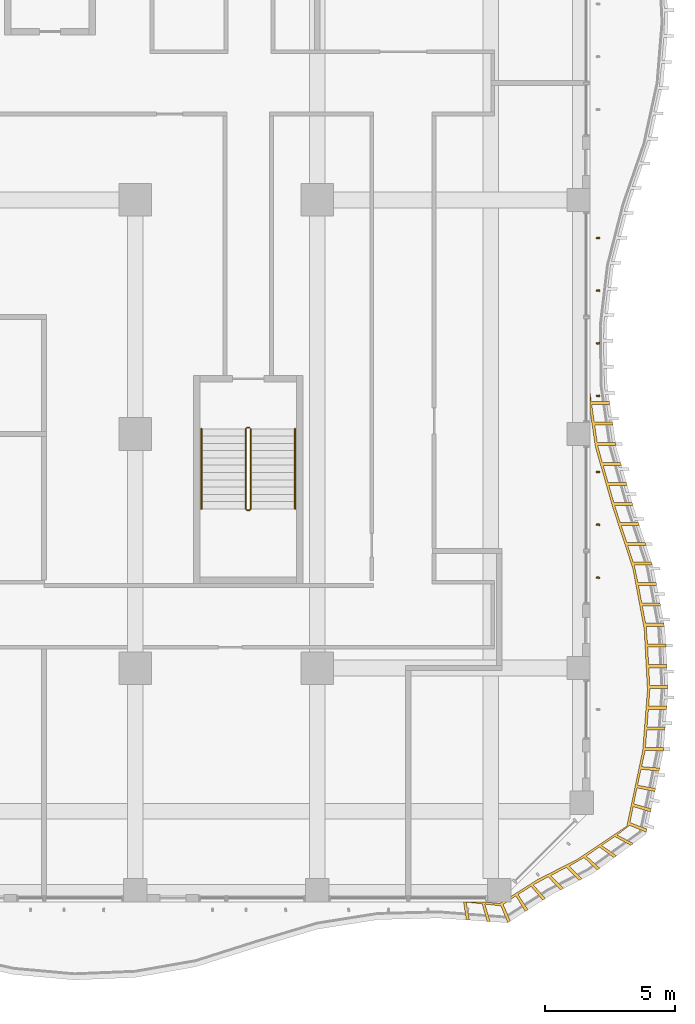
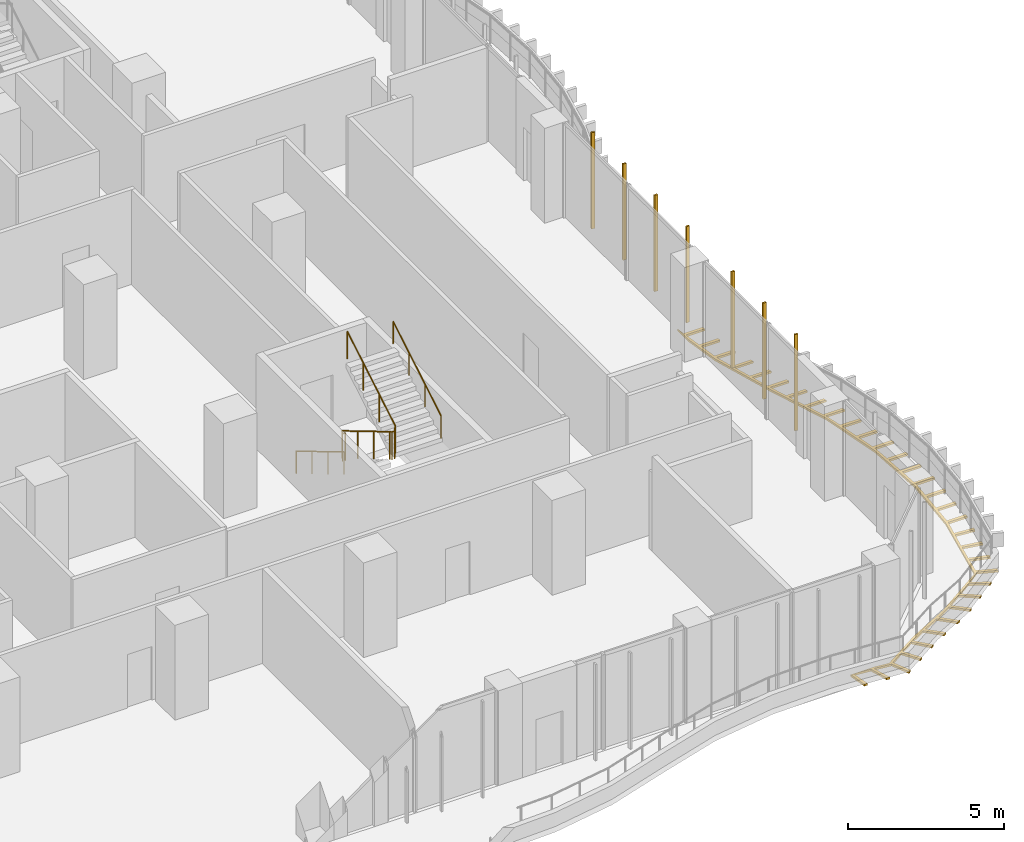
# One storey, part 24 of 28: 8 shading devices, 3 railings.
"""IFC4 building model written with IfcOpenShell, lengths in metres."""

from ifc_helpers import new_model, si_unit, direction, frame, origin, origin_2d, place, context, subcontext, project, spatial, polyline, rectangle, circle, outline, extrude, source, transform, mapped, material, layer, layer_set, material_profile, profile_set, type_object, element, save


model = new_model("IFC4")

# Units and contexts
model_context = context("Model", 3, precision=1e-05, world=origin(), true_north=direction((0.0, 1.0)))
body_context = subcontext(model_context, "Body", "Model", "MODEL_VIEW")
ifc_project = project(units=[si_unit("LENGTHUNIT", "METRE"), si_unit("AREAUNIT", "SQUARE_METRE"), si_unit("VOLUMEUNIT", "CUBIC_METRE"), si_unit("PLANEANGLEUNIT", "RADIAN"), si_unit("MASSUNIT", "GRAM", prefix="KILO")], contexts=[model_context])

# Site, building, storey
site_placement = place(None, origin())
site = spatial("IfcSite", under=ifc_project, at=site_placement, CompositionType="ELEMENT")
building_placement = place(site_placement, origin())
building = spatial("IfcBuilding", under=site, at=building_placement, Name="Kilnfold Tower and Market Hall", CompositionType="ELEMENT")
storey_placement = place(building_placement, frame((0.0, 0.0, 75.199951171875)))
storey = spatial("IfcBuildingStorey", under=building, at=storey_placement, Name="L17", CompositionType="ELEMENT", Elevation=75.199951171875)

# Railings
ifc_material_1 = material(Name="Stainless steel 316", Category="steel")
railing_type_1 = type_object("IfcRailingType", Name="CORE STAIR GUARD 1100", PredefinedType="GUARDRAIL", material=ifc_material_1)
railing_1_placement = place(storey_placement, frame((19.89990234375, -9.75, 0.0)))
element("IfcRailing", 1, at=railing_1_placement, inside=storey, type_object=railing_type_1, Name="L17 ST4 stair guard 1", PredefinedType="GUARDRAIL", context=body_context, shape_type="SweptSolid", body=[
    extrude(circle(Radius=0.02392578125, at=origin_2d()), frame((0.0, 0.0, 1.076171875), z_axis=(-1.0, 0.0, 0.0), x_axis=(0.0, -1.0, 0.0)), (0.0, 0.0, 1.0), 0.099853515625),
    extrude(circle(Radius=0.02392578125, at=origin_2d()), frame((-0.099853515625, 0.0, 1.076171875), z_axis=(-0.27628659633, -0.27628659633, 0.920506074601), x_axis=(0.707106781187, -0.707106781187, 0.0)), (0.0, 0.0, 1.0), 0.18115234375),
    extrude(circle(Radius=0.02392578125, at=origin_2d()), frame((-0.14990234375, -0.050048828125, 1.24267578125), z_axis=(0.0, -0.859290745958, 0.51148745235), x_axis=(1.0, 0.0, 0.0)), (0.0, 0.0, 1.0), 3.584228515625),
    extrude(circle(Radius=0.02392578125, at=origin_2d()), frame((-0.14990234375, -3.1298828125, 3.076171875), z_axis=(0.707106781187, -0.707106781187, 0.0), x_axis=(0.707106781187, 0.707106781187, 0.0)), (0.0, 0.0, 1.0), 0.07080078125),
    extrude(circle(Radius=0.02392578125, at=origin_2d()), frame((-0.099853515625, -3.179931640625, 3.076171875), z_axis=(1.0, 0.0, 0.0), x_axis=(0.0, 1.0, 0.0)), (0.0, 0.0, 1.0), 0.099853515625),
    extrude(circle(Radius=0.02392578125, at=origin_2d()), frame((0.0, -3.179931640625, 3.076171875), z_axis=(0.27628659633, 0.27628659633, 0.920506074601), x_axis=(-0.707106781187, 0.707106781187, 0.0)), (0.0, 0.0, 1.0), 0.18115234375),
    extrude(circle(Radius=0.02392578125, at=origin_2d()), frame((0.050048828125, -3.1298828125, 3.24267578125), z_axis=(0.0, 0.859290745958, 0.51148745235), x_axis=(-1.0, 0.0, 0.0)), (0.0, 0.0, 1.0), 3.584228515625),
    extrude(circle(Radius=0.02099609375, at=origin_2d()), origin(), (0.0, 0.0, 1.0), 1.052001953125),
    extrude(circle(Radius=0.02099609375, at=origin_2d()), frame((-0.099853515625, 0.0, 0.0)), (0.0, 0.0, 1.0), 1.052001953125),
    extrude(circle(Radius=0.02099609375, at=origin_2d()), frame((-0.14990234375, -0.050048828125, 0.166748046875)), (0.0, 0.0, 1.0), 1.052001953125),
    extrude(circle(Radius=0.02099609375, at=origin_2d()), frame((-0.14990234375, -1.07666015625, 0.77783203125)), (0.0, 0.0, 1.0), 1.052001953125),
    extrude(circle(Radius=0.02099609375, at=origin_2d()), frame((-0.14990234375, -2.103271484375, 1.388916015625)), (0.0, 0.0, 1.0), 1.052001953125),
    extrude(circle(Radius=0.02099609375, at=origin_2d()), frame((-0.14990234375, -3.1298828125, 2.0)), (0.0, 0.0, 1.0), 1.052001953125),
    extrude(circle(Radius=0.02099609375, at=origin_2d()), frame((-0.099853515625, -3.179931640625, 2.0)), (0.0, 0.0, 1.0), 1.052001953125),
    extrude(circle(Radius=0.02099609375, at=origin_2d()), frame((0.0, -3.179931640625, 2.0)), (0.0, 0.0, 1.0), 1.052001953125),
    extrude(circle(Radius=0.02099609375, at=origin_2d()), frame((0.050048828125, -3.1298828125, 2.166748046875)), (0.0, 0.0, 1.0), 1.052001953125),
    extrude(circle(Radius=0.02099609375, at=origin_2d()), frame((0.050048828125, -2.103271484375, 2.77783203125)), (0.0, 0.0, 1.0), 1.052001953125),
    extrude(circle(Radius=0.02099609375, at=origin_2d()), frame((0.050048828125, -1.07666015625, 3.388916015625)), (0.0, 0.0, 1.0), 1.052001953125),
    extrude(circle(Radius=0.02099609375, at=origin_2d()), frame((0.050048828125, -0.050048828125, 4.0)), (0.0, 0.0, 1.0), 1.052001953125),
])
ifc_material_2 = material(Name="Stainless steel 316", Category="steel")
railing_type_2 = type_object("IfcRailingType", Name="CORE STAIR HANDRAIL 900", PredefinedType="HANDRAIL", material=ifc_material_2)
railing_2_placement = place(storey_placement, frame((18.050048828125, -9.800048828125, 0.166748046875)))
element("IfcRailing", 2, at=railing_2_placement, inside=storey, type_object=railing_type_2, Name="L17 ST4 stair handrail 1", PredefinedType="HANDRAIL", context=body_context, shape_type="SweptSolid", body=[
    extrude(circle(Radius=0.02392578125, at=origin_2d()), frame((0.0, 0.0, 0.8759765625), z_axis=(0.0, -0.859290745958, 0.51148745235), x_axis=(1.0, 0.0, 0.0)), (0.0, 0.0, 1.0), 3.584228515625),
    extrude(circle(Radius=0.02099609375, at=origin_2d()), origin(), (0.0, 0.0, 1.0), 0.851806640625),
    extrude(circle(Radius=0.02099609375, at=origin_2d()), frame((0.0, -1.026611328125, 0.611083984375)), (0.0, 0.0, 1.0), 0.851806640625),
    extrude(circle(Radius=0.02099609375, at=origin_2d()), frame((0.0, -2.05322265625, 1.22216796875)), (0.0, 0.0, 1.0), 0.851806640625),
    extrude(circle(Radius=0.02099609375, at=origin_2d()), frame((0.0, -3.079833984375, 1.833251953125)), (0.0, 0.0, 1.0), 0.851806640625),
])
railing_3_placement = place(storey_placement, frame((21.64990234375, -12.8798828125, 2.166748046875)))
element("IfcRailing", 3, at=railing_3_placement, inside=storey, type_object=railing_type_2, Name="L17 ST4 stair handrail 2", PredefinedType="HANDRAIL", context=body_context, shape_type="SweptSolid", body=[
    extrude(circle(Radius=0.02392578125, at=origin_2d()), frame((0.0, 0.0, 0.8759765625), z_axis=(0.0, 0.859290745958, 0.51148745235), x_axis=(-1.0, 0.0, 0.0)), (0.0, 0.0, 1.0), 3.584228515625),
    extrude(circle(Radius=0.02099609375, at=origin_2d()), origin(), (0.0, 0.0, 1.0), 0.851806640625),
    extrude(circle(Radius=0.02099609375, at=origin_2d()), frame((0.0, 1.026611328125, 0.611083984375)), (0.0, 0.0, 1.0), 0.851806640625),
    extrude(circle(Radius=0.02099609375, at=origin_2d()), frame((0.0, 2.05322265625, 1.22216796875)), (0.0, 0.0, 1.0), 0.851806640625),
    extrude(circle(Radius=0.02099609375, at=origin_2d()), frame((0.0, 3.079833984375, 1.833251953125)), (0.0, 0.0, 1.0), 0.851806640625),
])

# Shading devices
ifc_material_3 = material(Name="Terracotta", Category="masonry")
ifc_material_profile = material_profile(ifc_material_3, rectangle(XDim=0.06005859375, YDim=0.1201171875, at=origin_2d()), Name="BAG 60x120")
ifc_profile_set = profile_set([ifc_material_profile], Name="Terracotta")
shading_device_type_1 = type_object("IfcShadingDeviceType", Name="BAGUETTE", PredefinedType="USERDEFINED", material=ifc_profile_set)
shared_shape_1 = source(origin(), body_context, "Body", "SweptSolid", [
    extrude(rectangle(XDim=0.06005859375, YDim=0.1201171875, at=origin_2d()), origin(), (0.0, 0.0, 1.0), 3.780029296875),
])
for number, where, z_axis, x_axis, name in (
    (4, (33.300048828125, -15.52490234375, 0.0), (0.0, 0.0, 1.0), (0.13645216604, 0.990646660714, 0.0), "Terracotta baguette L17 E"),
    (5, (33.300048828125, -13.487548828125, 0.0), (0.0, 0.0, 1.0), (0.061654769941, 0.998097534985, 0.0), "Terracotta baguette L17 E"),
    (6, (33.300048828125, -11.46240234375, 0.0), (0.0, 0.0, 1.0), (-0.060839489334, 0.998147562506, 0.0), "Terracotta baguette L17 E"),
    (7, (33.300048828125, -8.53759765625, 0.0), (0.0, 0.0, 1.0), (-0.136602587866, 0.990625929899, 0.0), "Terracotta baguette L17 E"),
    (8, (33.300048828125, -6.512451171875, 0.0), (0.0, 0.0, 1.0), (-0.063053542017, 0.998010145659, 0.0), "Terracotta baguette L17 E"),
    (9, (33.300048828125, -4.487548828125, 0.0), (0.0, 0.0, 1.0), (0.059428331135, 0.998232574833, 0.0), "Terracotta baguette L17 E"),
    (10, (33.300048828125, -2.46240234375, 0.0), (0.0, 0.0, 1.0), (0.135777822689, 0.990739311255, 0.0), "Terracotta baguette L17 E"),
):
    element("IfcShadingDevice", number, at=place(storey_placement, frame(where, z_axis=z_axis, x_axis=x_axis)), inside=storey, type_object=shading_device_type_1, Name=name, ObjectType="BAGUETTE", PredefinedType="USERDEFINED", context=body_context, shape_type="MappedRepresentation", body=[
        mapped(shared_shape_1, transform((0.0, 0.0, 0.0))),
    ])
ifc_material_4 = material(Name="Bronze anodised aluminium", Category="aluminium")
ifc_layer = layer(ifc_material_4, 0.080078125)
ifc_layer_set = layer_set([ifc_layer], Name="Bronze anodised aluminium")
shading_device_type_2 = type_object("IfcShadingDeviceType", Name="BRONZE SLAT SOFFIT 80", PredefinedType="USERDEFINED", material=ifc_layer_set)
shared_shape_2 = source(origin(), body_context, "Body", "SweptSolid", [
    extrude(outline(polyline([(29.523193359375, -28.05615234375), (30.96875, -27.135498046875), (32.514892578125, -26.348388671875), (34.404541015625, -25.081787109375), (35.017578125, -22.166748046875), (35.19873046875, -19.833251953125), (35.073486328125, -17.5), (34.63525390625, -15.166748046875), (33.86767578125, -12.833251953125), (33.19775390625, -10.5), (33.0, -9.1494140625), (33.0, -8.4267578125), (33.041259765625, -8.748779296875), (33.7412109375, -8.748779296875), (33.7587890625, -8.867431640625), (33.05859375, -8.867431640625), (33.1572265625, -9.540283203125), (33.857177734375, -9.540283203125), (33.860595703125, -9.564208984375), (33.87451171875, -9.658935546875), (33.174560546875, -9.658935546875), (33.273193359375, -10.331787109375), (33.97314453125, -10.331787109375), (33.990478515625, -10.450439453125), (33.29052734375, -10.450439453125), (33.4716796875, -11.10546875), (34.171630859375, -11.10546875), (34.20458984375, -11.220947265625), (33.504638671875, -11.220947265625), (33.6923828125, -11.87451171875), (34.392333984375, -11.87451171875), (34.425537109375, -11.98974609375), (33.7255859375, -11.98974609375), (33.9130859375, -12.643310546875), (34.613037109375, -12.643310546875), (34.646240234375, -12.7587890625), (33.9462890625, -12.7587890625), (34.156005859375, -13.405517578125), (34.85595703125, -13.405517578125), (34.893310546875, -13.51953125), (34.193359375, -13.51953125), (34.40576171875, -14.16552734375), (35.105712890625, -14.16552734375), (35.143310546875, -14.279541015625), (34.443359375, -14.279541015625), (34.65576171875, -14.925537109375), (35.355712890625, -14.925537109375), (35.393310546875, -15.039306640625), (34.693359375, -15.039306640625), (34.8359375, -15.703369140625), (35.535888671875, -15.703369140625), (35.55810546875, -15.8212890625), (34.858154296875, -15.8212890625), (34.983642578125, -16.489501953125), (35.68359375, -16.489501953125), (35.705810546875, -16.607421875), (35.005859375, -16.607421875), (35.13134765625, -17.27587890625), (35.831298828125, -17.27587890625), (35.853515625, -17.393798828125), (35.153564453125, -17.393798828125), (35.2041015625, -18.071044921875), (35.904052734375, -18.071044921875), (35.91064453125, -18.19091796875), (35.210693359375, -18.19091796875), (35.2470703125, -18.8701171875), (35.947021484375, -18.8701171875), (35.953369140625, -18.98974609375), (35.25341796875, -18.98974609375), (35.289794921875, -19.668701171875), (35.989990234375, -19.668701171875), (35.996337890625, -19.78857421875), (35.29638671875, -19.78857421875), (35.24951171875, -20.466796875), (35.949462890625, -20.466796875), (35.940185546875, -20.586181640625), (35.240234375, -20.586181640625), (35.1875, -21.264404296875), (35.8876953125, -21.264404296875), (35.87841796875, -21.3837890625), (35.178466796875, -21.3837890625), (35.125732421875, -22.06201171875), (35.82568359375, -22.06201171875), (35.817626953125, -22.166748046875), (35.814697265625, -22.18115234375), (35.114501953125, -22.179931640625), (34.977783203125, -22.78955078125), (35.67529296875, -22.8466796875), (35.650634765625, -22.96435546875), (34.9541015625, -22.89697265625), (34.822509765625, -23.505859375), (35.511474609375, -23.6298828125), (35.48681640625, -23.747314453125), (34.7998046875, -23.61328125), (34.673828125, -24.22314453125), (35.34765625, -24.412841796875), (35.322998046875, -24.530517578125), (34.652099609375, -24.330810546875), (34.53125, -24.943115234375), (35.183837890625, -25.196044921875), (35.1591796875, -25.3134765625), (34.51025390625, -25.05126953125), (34.038818359375, -25.42138671875), (34.658203125, -25.7470703125), (34.561767578125, -25.818359375), (33.9482421875, -25.481201171875), (33.4404296875, -25.822998046875), (34.01513671875, -26.222900390625), (33.918701171875, -26.294189453125), (33.3515625, -25.8837890625), (32.8505859375, -26.231201171875), (33.371826171875, -26.698486328125), (33.275390625, -26.77001953125), (32.7626953125, -26.293212890625), (32.195556640625, -26.61767578125), (32.690673828125, -27.112548828125), (32.58349609375, -27.1669921875), (32.088623046875, -26.672119140625), (31.482666015625, -26.98046875), (31.9775390625, -27.4755859375), (31.87060546875, -27.530029296875), (31.375732421875, -27.034912109375), (30.814208984375, -27.341796875), (31.27978515625, -27.864501953125), (31.1787109375, -27.929443359375), (30.725341796875, -27.39599609375), (30.227783203125, -27.7080078125), (30.6064453125, -28.296630859375), (30.50537109375, -28.361572265625), (30.140869140625, -27.763916015625), (29.650146484375, -28.08837890625), (29.93310546875, -28.728759765625), (29.83203125, -28.793701171875), (29.563720703125, -28.14697265625), (28.951416015625, -28.079345703125), (29.154296875, -28.749267578125), (29.034423828125, -28.7412109375), (28.843505859375, -28.067626953125), (28.234130859375, -28.005615234375), (28.35595703125, -28.695068359375), (28.236328125, -28.686767578125), (28.12744140625, -28.0), (28.9765625, -28.0), (29.523193359375, -28.05615234375)])), origin(), (0.0, 0.0, 1.0), 0.080078125),
])
shading_device_placement = place(storey_placement, frame((0.0, 0.0, -0.300048828125)))
element("IfcShadingDevice", 11, at=shading_device_placement, inside=storey, type_object=shading_device_type_2, Name="Balcony soffit slats L17", ObjectType="SLAT", PredefinedType="USERDEFINED", context=body_context, shape_type="MappedRepresentation", body=[
    mapped(shared_shape_2, transform((0.0, 0.0, 0.0))),
])

save(model, "model.ifc")
